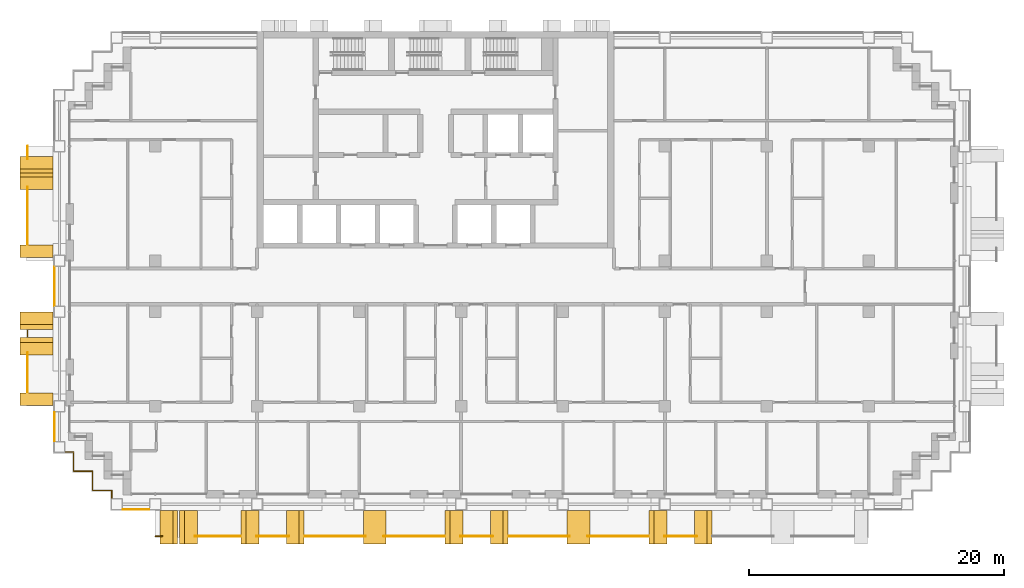
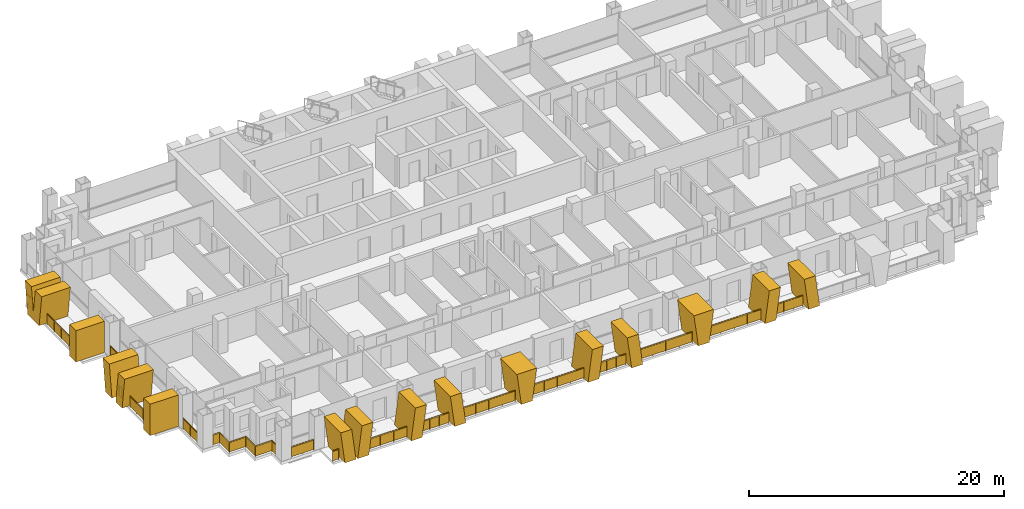
# One storey, part 15 of 18: 17 railings, 15 shading devices.
"""IFC4 building model written with IfcOpenShell, lengths in metres."""

from ifc_helpers import new_model, si_unit, direction, frame, origin, origin_2d, place, context, subcontext, project, spatial, polyline, rectangle, circle, outline, extrude, material, layer, layer_set, type_object, element, save


model = new_model("IFC4")

# Units and contexts
model_context = context("Model", 3, precision=1e-05, world=origin(), true_north=direction((0.0, 1.0)))
body_context = subcontext(model_context, "Body", "Model", "MODEL_VIEW")
ifc_project = project(units=[si_unit("LENGTHUNIT", "METRE"), si_unit("AREAUNIT", "SQUARE_METRE"), si_unit("VOLUMEUNIT", "CUBIC_METRE"), si_unit("PLANEANGLEUNIT", "RADIAN"), si_unit("MASSUNIT", "GRAM", prefix="KILO")], contexts=[model_context])

# Site, building, storey
site_placement = place(None, origin())
site = spatial("IfcSite", under=ifc_project, at=site_placement, CompositionType="ELEMENT")
building_placement = place(site_placement, origin())
building = spatial("IfcBuilding", under=site, at=building_placement, Name="Vidyagriha Tower", CompositionType="ELEMENT")
storey_placement = place(building_placement, frame((0.0, 0.0, 93.5)))
storey = spatial("IfcBuildingStorey", under=building, at=storey_placement, Name="L24", CompositionType="ELEMENT", Elevation=93.5)

# Railings
ifc_material_1 = material(Name="Steel ASTM A500 Grade C black painted", Category="steel")
railing_type_1 = type_object("IfcRailingType", Name="Balcony guard 1100", PredefinedType="BALUSTRADE", material=ifc_material_1)
railing_1_placement = place(storey_placement, frame((-32.0, 11.0, 0.0)))
element("IfcRailing", 1, at=railing_1_placement, inside=storey, type_object=railing_type_1, Name="Balcony guard L24 R16.1-1", PredefinedType="BALUSTRADE", context=body_context, shape_type="SweptSolid", body=[
    extrude(circle(Radius=0.02490234375, at=origin_2d()), frame((0.0, 0.0, 1.0751953125), z_axis=(0.0, -1.0, 0.0), x_axis=(1.0, 0.0, 0.0)), (0.0, 0.0, 1.0), 0.99658203125),
    extrude(circle(Radius=0.02001953125, at=origin_2d()), origin(), (0.0, 0.0, 1.0), 1.050048828125),
    extrude(circle(Radius=0.02001953125, at=origin_2d()), frame((0.0, -0.99658203125, 0.0)), (0.0, 0.0, 1.0), 1.050048828125),
    extrude(rectangle(XDim=0.010009765625, YDim=0.900146484375, at=origin_2d()), frame((0.0, 0.0, 0.550048828125), z_axis=(0.0, -1.0, 0.0), x_axis=(1.0, 0.0, 0.0)), (0.0, 0.0, 1.0), 0.99658203125),
])
railing_2_placement = place(storey_placement, frame((-32.0, 7.796630859375, 0.0)))
element("IfcRailing", 2, at=railing_2_placement, inside=storey, type_object=railing_type_1, Name="Balcony guard L24 R16.1-2", PredefinedType="BALUSTRADE", context=body_context, shape_type="SweptSolid", body=[
    extrude(circle(Radius=0.02490234375, at=origin_2d()), frame((0.0, 0.0, 1.0751953125), z_axis=(0.0, -1.0, 0.0), x_axis=(1.0, 0.0, 0.0)), (0.0, 0.0, 1.0), 4.49658203125),
    extrude(circle(Radius=0.02001953125, at=origin_2d()), origin(), (0.0, 0.0, 1.0), 1.050048828125),
    extrude(circle(Radius=0.02001953125, at=origin_2d()), frame((0.0, -1.1240234375, 0.0)), (0.0, 0.0, 1.0), 1.050048828125),
    extrude(circle(Radius=0.02001953125, at=origin_2d()), frame((0.0, -2.248291015625, 0.0)), (0.0, 0.0, 1.0), 1.050048828125),
    extrude(circle(Radius=0.02001953125, at=origin_2d()), frame((0.0, -3.37255859375, 0.0)), (0.0, 0.0, 1.0), 1.050048828125),
    extrude(circle(Radius=0.02001953125, at=origin_2d()), frame((0.0, -4.49658203125, 0.0)), (0.0, 0.0, 1.0), 1.050048828125),
    extrude(rectangle(XDim=0.010009765625, YDim=0.900146484375, at=origin_2d()), frame((0.0, 0.0, 0.550048828125), z_axis=(0.0, -1.0, 0.0), x_axis=(1.0, 0.0, 0.0)), (0.0, 0.0, 1.0), 4.49658203125),
])
railing_3_placement = place(storey_placement, frame((-32.0, -3.449951171875, 0.0)))
element("IfcRailing", 3, at=railing_3_placement, inside=storey, type_object=railing_type_1, Name="Balcony guard L24 R16.2-1", PredefinedType="BALUSTRADE", context=body_context, shape_type="SweptSolid", body=[
    extrude(circle(Radius=0.02490234375, at=origin_2d()), frame((0.0, 0.0, 1.0751953125), z_axis=(0.0, -1.0, 0.0), x_axis=(1.0, 0.0, 0.0)), (0.0, 0.0, 1.0), 0.5),
    extrude(circle(Radius=0.02001953125, at=origin_2d()), origin(), (0.0, 0.0, 1.0), 1.050048828125),
    extrude(circle(Radius=0.02001953125, at=origin_2d()), frame((0.0, -0.5, 0.0)), (0.0, 0.0, 1.0), 1.050048828125),
    extrude(rectangle(XDim=0.010009765625, YDim=0.900146484375, at=origin_2d()), frame((0.0, 0.0, 0.550048828125), z_axis=(0.0, -1.0, 0.0), x_axis=(1.0, 0.0, 0.0)), (0.0, 0.0, 1.0), 0.5),
])
railing_4_placement = place(storey_placement, frame((-32.0, -5.203369140625, 0.0)))
element("IfcRailing", 4, at=railing_4_placement, inside=storey, type_object=railing_type_1, Name="Balcony guard L24 R16.2-2", PredefinedType="BALUSTRADE", context=body_context, shape_type="SweptSolid", body=[
    extrude(circle(Radius=0.02490234375, at=origin_2d()), frame((0.0, 0.0, 1.0751953125), z_axis=(0.0, -1.0, 0.0), x_axis=(1.0, 0.0, 0.0)), (0.0, 0.0, 1.0), 3.0966796875),
    extrude(circle(Radius=0.02001953125, at=origin_2d()), origin(), (0.0, 0.0, 1.0), 1.050048828125),
    extrude(circle(Radius=0.02001953125, at=origin_2d()), frame((0.0, -1.0322265625, 0.0)), (0.0, 0.0, 1.0), 1.050048828125),
    extrude(circle(Radius=0.02001953125, at=origin_2d()), frame((0.0, -2.064453125, 0.0)), (0.0, 0.0, 1.0), 1.050048828125),
    extrude(circle(Radius=0.02001953125, at=origin_2d()), frame((0.0, -3.0966796875, 0.0)), (0.0, 0.0, 1.0), 1.050048828125),
    extrude(rectangle(XDim=0.010009765625, YDim=0.900146484375, at=origin_2d()), frame((0.0, 0.0, 0.550048828125), z_axis=(0.0, -1.0, 0.0), x_axis=(1.0, 0.0, 0.0)), (0.0, 0.0, 1.0), 3.0966796875),
])
railing_5_placement = place(storey_placement, frame((-22.0, -19.60009765625, 0.0)))
element("IfcRailing", 5, at=railing_5_placement, inside=storey, type_object=railing_type_1, Name="Balcony guard L24 R23.1-1", PredefinedType="BALUSTRADE", context=body_context, shape_type="SweptSolid", body=[
    extrude(circle(Radius=0.02490234375, at=origin_2d()), frame((0.0, 0.0, 1.0751953125), z_axis=(1.0, 0.0, 0.0), x_axis=(0.0, 1.0, 0.0)), (0.0, 0.0, 1.0), 0.573486328125),
    extrude(circle(Radius=0.02001953125, at=origin_2d()), origin(), (0.0, 0.0, 1.0), 1.050048828125),
    extrude(circle(Radius=0.02001953125, at=origin_2d()), frame((0.573486328125, 0.0, 0.0)), (0.0, 0.0, 1.0), 1.050048828125),
    extrude(rectangle(XDim=0.010009765625, YDim=0.900146484375, at=origin_2d()), frame((0.0, 0.0, 0.550048828125), z_axis=(1.0, 0.0, 0.0), x_axis=(0.0, 1.0, 0.0)), (0.0, 0.0, 1.0), 0.573486328125),
])
railing_6_placement = place(storey_placement, frame((-18.87353515625, -19.60009765625, 0.0)))
element("IfcRailing", 6, at=railing_6_placement, inside=storey, type_object=railing_type_1, Name="Balcony guard L24 R23.1-2", PredefinedType="BALUSTRADE", context=body_context, shape_type="SweptSolid", body=[
    extrude(circle(Radius=0.02490234375, at=origin_2d()), frame((0.0, 0.0, 1.0751953125), z_axis=(1.0, 0.0, 0.0), x_axis=(0.0, 1.0, 0.0)), (0.0, 0.0, 1.0), 3.573486328125),
    extrude(circle(Radius=0.02001953125, at=origin_2d()), origin(), (0.0, 0.0, 1.0), 1.050048828125),
    extrude(circle(Radius=0.02001953125, at=origin_2d()), frame((1.191162109375, 0.0, 0.0)), (0.0, 0.0, 1.0), 1.050048828125),
    extrude(circle(Radius=0.02001953125, at=origin_2d()), frame((2.38232421875, 0.0, 0.0)), (0.0, 0.0, 1.0), 1.050048828125),
    extrude(circle(Radius=0.02001953125, at=origin_2d()), frame((3.573486328125, 0.0, 0.0)), (0.0, 0.0, 1.0), 1.050048828125),
    extrude(rectangle(XDim=0.010009765625, YDim=0.900146484375, at=origin_2d()), frame((0.0, 0.0, 0.550048828125), z_axis=(1.0, 0.0, 0.0), x_axis=(0.0, 1.0, 0.0)), (0.0, 0.0, 1.0), 3.573486328125),
])
railing_7_placement = place(storey_placement, frame((-14.048583984375, -19.60009765625, 0.0)))
element("IfcRailing", 7, at=railing_7_placement, inside=storey, type_object=railing_type_1, Name="Balcony guard L24 R23.1-3", PredefinedType="BALUSTRADE", context=body_context, shape_type="SweptSolid", body=[
    extrude(circle(Radius=0.02490234375, at=origin_2d()), frame((0.0, 0.0, 1.0751953125), z_axis=(1.0, 0.0, 0.0), x_axis=(0.0, 1.0, 0.0)), (0.0, 0.0, 1.0), 2.547119140625),
    extrude(circle(Radius=0.02001953125, at=origin_2d()), origin(), (0.0, 0.0, 1.0), 1.050048828125),
    extrude(circle(Radius=0.02001953125, at=origin_2d()), frame((0.84912109375, 0.0, 0.0)), (0.0, 0.0, 1.0), 1.050048828125),
    extrude(circle(Radius=0.02001953125, at=origin_2d()), frame((1.697998046875, 0.0, 0.0)), (0.0, 0.0, 1.0), 1.050048828125),
    extrude(circle(Radius=0.02001953125, at=origin_2d()), frame((2.547119140625, 0.0, 0.0)), (0.0, 0.0, 1.0), 1.050048828125),
    extrude(rectangle(XDim=0.010009765625, YDim=0.900146484375, at=origin_2d()), frame((0.0, 0.0, 0.550048828125), z_axis=(1.0, 0.0, 0.0), x_axis=(0.0, 1.0, 0.0)), (0.0, 0.0, 1.0), 2.547119140625),
])
railing_8_placement = place(storey_placement, frame((-10.25, -19.60009765625, 0.0)))
element("IfcRailing", 8, at=railing_8_placement, inside=storey, type_object=railing_type_1, Name="Balcony guard L24 R23.1-4", PredefinedType="BALUSTRADE", context=body_context, shape_type="SweptSolid", body=[
    extrude(circle(Radius=0.02490234375, at=origin_2d()), frame((0.0, 0.0, 1.0751953125), z_axis=(1.0, 0.0, 0.0), x_axis=(0.0, 1.0, 0.0)), (0.0, 0.0, 1.0), 4.773681640625),
    extrude(circle(Radius=0.02001953125, at=origin_2d()), origin(), (0.0, 0.0, 1.0), 1.050048828125),
    extrude(circle(Radius=0.02001953125, at=origin_2d()), frame((1.193359375, 0.0, 0.0)), (0.0, 0.0, 1.0), 1.050048828125),
    extrude(circle(Radius=0.02001953125, at=origin_2d()), frame((2.38671875, 0.0, 0.0)), (0.0, 0.0, 1.0), 1.050048828125),
    extrude(circle(Radius=0.02001953125, at=origin_2d()), frame((3.580322265625, 0.0, 0.0)), (0.0, 0.0, 1.0), 1.050048828125),
    extrude(circle(Radius=0.02001953125, at=origin_2d()), frame((4.773681640625, 0.0, 0.0)), (0.0, 0.0, 1.0), 1.050048828125),
    extrude(rectangle(XDim=0.010009765625, YDim=0.900146484375, at=origin_2d()), frame((0.0, 0.0, 0.550048828125), z_axis=(1.0, 0.0, 0.0), x_axis=(0.0, 1.0, 0.0)), (0.0, 0.0, 1.0), 4.773681640625),
])
railing_9_placement = place(storey_placement, frame((-4.073486328125, -19.60009765625, 0.0)))
element("IfcRailing", 9, at=railing_9_placement, inside=storey, type_object=railing_type_1, Name="Balcony guard L24 R23.1-5", PredefinedType="BALUSTRADE", context=body_context, shape_type="SweptSolid", body=[
    extrude(circle(Radius=0.02490234375, at=origin_2d()), frame((0.0, 0.0, 1.0751953125), z_axis=(1.0, 0.0, 0.0), x_axis=(0.0, 1.0, 0.0)), (0.0, 0.0, 1.0), 4.7734375),
    extrude(circle(Radius=0.02001953125, at=origin_2d()), origin(), (0.0, 0.0, 1.0), 1.050048828125),
    extrude(circle(Radius=0.02001953125, at=origin_2d()), frame((1.193359375, 0.0, 0.0)), (0.0, 0.0, 1.0), 1.050048828125),
    extrude(circle(Radius=0.02001953125, at=origin_2d()), frame((2.38671875, 0.0, 0.0)), (0.0, 0.0, 1.0), 1.050048828125),
    extrude(circle(Radius=0.02001953125, at=origin_2d()), frame((3.580078125, 0.0, 0.0)), (0.0, 0.0, 1.0), 1.050048828125),
    extrude(circle(Radius=0.02001953125, at=origin_2d()), frame((4.7734375, 0.0, 0.0)), (0.0, 0.0, 1.0), 1.050048828125),
    extrude(rectangle(XDim=0.010009765625, YDim=0.900146484375, at=origin_2d()), frame((0.0, 0.0, 0.550048828125), z_axis=(1.0, 0.0, 0.0), x_axis=(0.0, 1.0, 0.0)), (0.0, 0.0, 1.0), 4.7734375),
])
railing_10_placement = place(storey_placement, frame((1.951416015625, -19.60009765625, 0.0)))
element("IfcRailing", 10, at=railing_10_placement, inside=storey, type_object=railing_type_1, Name="Balcony guard L24 R23.1-6", PredefinedType="BALUSTRADE", context=body_context, shape_type="SweptSolid", body=[
    extrude(circle(Radius=0.02490234375, at=origin_2d()), frame((0.0, 0.0, 1.0751953125), z_axis=(1.0, 0.0, 0.0), x_axis=(0.0, 1.0, 0.0)), (0.0, 0.0, 1.0), 2.547119140625),
    extrude(circle(Radius=0.02001953125, at=origin_2d()), origin(), (0.0, 0.0, 1.0), 1.050048828125),
    extrude(circle(Radius=0.02001953125, at=origin_2d()), frame((0.84912109375, 0.0, 0.0)), (0.0, 0.0, 1.0), 1.050048828125),
    extrude(circle(Radius=0.02001953125, at=origin_2d()), frame((1.697998046875, 0.0, 0.0)), (0.0, 0.0, 1.0), 1.050048828125),
    extrude(circle(Radius=0.02001953125, at=origin_2d()), frame((2.547119140625, 0.0, 0.0)), (0.0, 0.0, 1.0), 1.050048828125),
    extrude(rectangle(XDim=0.010009765625, YDim=0.900146484375, at=origin_2d()), frame((0.0, 0.0, 0.550048828125), z_axis=(1.0, 0.0, 0.0), x_axis=(0.0, 1.0, 0.0)), (0.0, 0.0, 1.0), 2.547119140625),
])
railing_11_placement = place(storey_placement, frame((5.75, -19.60009765625, 0.0)))
element("IfcRailing", 11, at=railing_11_placement, inside=storey, type_object=railing_type_1, Name="Balcony guard L24 R23.1-7", PredefinedType="BALUSTRADE", context=body_context, shape_type="SweptSolid", body=[
    extrude(circle(Radius=0.02490234375, at=origin_2d()), frame((0.0, 0.0, 1.0751953125), z_axis=(1.0, 0.0, 0.0), x_axis=(0.0, 1.0, 0.0)), (0.0, 0.0, 1.0), 4.773681640625),
    extrude(circle(Radius=0.02001953125, at=origin_2d()), origin(), (0.0, 0.0, 1.0), 1.050048828125),
    extrude(circle(Radius=0.02001953125, at=origin_2d()), frame((1.193359375, 0.0, 0.0)), (0.0, 0.0, 1.0), 1.050048828125),
    extrude(circle(Radius=0.02001953125, at=origin_2d()), frame((2.38671875, 0.0, 0.0)), (0.0, 0.0, 1.0), 1.050048828125),
    extrude(circle(Radius=0.02001953125, at=origin_2d()), frame((3.580322265625, 0.0, 0.0)), (0.0, 0.0, 1.0), 1.050048828125),
    extrude(circle(Radius=0.02001953125, at=origin_2d()), frame((4.773681640625, 0.0, 0.0)), (0.0, 0.0, 1.0), 1.050048828125),
    extrude(rectangle(XDim=0.010009765625, YDim=0.900146484375, at=origin_2d()), frame((0.0, 0.0, 0.550048828125), z_axis=(1.0, 0.0, 0.0), x_axis=(0.0, 1.0, 0.0)), (0.0, 0.0, 1.0), 4.773681640625),
])
railing_12_placement = place(storey_placement, frame((11.926513671875, -19.60009765625, 0.0)))
element("IfcRailing", 12, at=railing_12_placement, inside=storey, type_object=railing_type_1, Name="Balcony guard L24 R23.1-8", PredefinedType="BALUSTRADE", context=body_context, shape_type="SweptSolid", body=[
    extrude(circle(Radius=0.02490234375, at=origin_2d()), frame((0.0, 0.0, 1.0751953125), z_axis=(1.0, 0.0, 0.0), x_axis=(0.0, 1.0, 0.0)), (0.0, 0.0, 1.0), 4.7734375),
    extrude(circle(Radius=0.02001953125, at=origin_2d()), origin(), (0.0, 0.0, 1.0), 1.050048828125),
    extrude(circle(Radius=0.02001953125, at=origin_2d()), frame((1.193359375, 0.0, 0.0)), (0.0, 0.0, 1.0), 1.050048828125),
    extrude(circle(Radius=0.02001953125, at=origin_2d()), frame((2.38671875, 0.0, 0.0)), (0.0, 0.0, 1.0), 1.050048828125),
    extrude(circle(Radius=0.02001953125, at=origin_2d()), frame((3.580078125, 0.0, 0.0)), (0.0, 0.0, 1.0), 1.050048828125),
    extrude(circle(Radius=0.02001953125, at=origin_2d()), frame((4.7734375, 0.0, 0.0)), (0.0, 0.0, 1.0), 1.050048828125),
    extrude(rectangle(XDim=0.010009765625, YDim=0.900146484375, at=origin_2d()), frame((0.0, 0.0, 0.550048828125), z_axis=(1.0, 0.0, 0.0), x_axis=(0.0, 1.0, 0.0)), (0.0, 0.0, 1.0), 4.7734375),
])
railing_13_placement = place(storey_placement, frame((17.951416015625, -19.60009765625, 0.0)))
element("IfcRailing", 13, at=railing_13_placement, inside=storey, type_object=railing_type_1, Name="Balcony guard L24 R23.1-9", PredefinedType="BALUSTRADE", context=body_context, shape_type="SweptSolid", body=[
    extrude(circle(Radius=0.02490234375, at=origin_2d()), frame((0.0, 0.0, 1.0751953125), z_axis=(1.0, 0.0, 0.0), x_axis=(0.0, 1.0, 0.0)), (0.0, 0.0, 1.0), 2.547119140625),
    extrude(circle(Radius=0.02001953125, at=origin_2d()), origin(), (0.0, 0.0, 1.0), 1.050048828125),
    extrude(circle(Radius=0.02001953125, at=origin_2d()), frame((0.84912109375, 0.0, 0.0)), (0.0, 0.0, 1.0), 1.050048828125),
    extrude(circle(Radius=0.02001953125, at=origin_2d()), frame((1.697998046875, 0.0, 0.0)), (0.0, 0.0, 1.0), 1.050048828125),
    extrude(circle(Radius=0.02001953125, at=origin_2d()), frame((2.547119140625, 0.0, 0.0)), (0.0, 0.0, 1.0), 1.050048828125),
    extrude(rectangle(XDim=0.010009765625, YDim=0.900146484375, at=origin_2d()), frame((0.0, 0.0, 0.550048828125), z_axis=(1.0, 0.0, 0.0), x_axis=(0.0, 1.0, 0.0)), (0.0, 0.0, 1.0), 2.547119140625),
])

# Shading devices
ifc_material_2 = material(Name="Precast concrete C40/50 with buff brick facing", Category="concrete")
ifc_layer_1 = layer(ifc_material_2, 1.0)
ifc_layer_set_1 = layer_set([ifc_layer_1], Name="Precast concrete C40/50 with buff brick facing")
shading_device_type_1 = type_object("IfcShadingDeviceType", Name="Brick-faced blade fin arm leaning 8 degrees", PredefinedType="USERDEFINED", material=ifc_layer_set_1)
shading_device_1_placement = place(storey_placement, frame((-31.300048828125, -4.0, 0.0), z_axis=(0.0, 0.0, 1.0), x_axis=(0.0, -1.0, 0.0)))
element("IfcShadingDevice", 14, at=shading_device_1_placement, inside=storey, type_object=shading_device_type_1, Name="Leaning blade fin L24 R16.1590a", ObjectType="BLADE FIN", PredefinedType="USERDEFINED", context=body_context, shape_type="SweptSolid", body=[
    extrude(outline(polyline([(0.0, 0.0), (1.0, 0.0), (1.39990234375, 3.0), (0.39990234375, 3.0), (0.0, 0.0)])), frame((0.0, 1.300048828125, 0.0), z_axis=(0.0, -1.0, 0.0), x_axis=(1.0, 0.0, 0.0)), (0.0, 0.0, 1.0), 2.60009765625),
])
shading_device_2_placement = place(storey_placement, frame((-31.300048828125, -2.0, 0.0), z_axis=(0.0, 0.0, 1.0), x_axis=(0.0, -1.0, 0.0)))
element("IfcShadingDevice", 15, at=shading_device_2_placement, inside=storey, type_object=shading_device_type_1, Name="Leaning blade fin L24 R16.1590b", ObjectType="BLADE FIN", PredefinedType="USERDEFINED", context=body_context, shape_type="SweptSolid", body=[
    extrude(outline(polyline([(0.39990234375, 0.0), (1.39990234375, 0.0), (1.0, 3.0), (0.0, 3.0), (0.39990234375, 0.0)])), frame((0.0, 1.300048828125, 0.0), z_axis=(0.0, -1.0, 0.0), x_axis=(1.0, 0.0, 0.0)), (0.0, 0.0, 1.0), 2.60009765625),
])
shading_device_3_placement = place(storey_placement, frame((-20.0712890625, -18.89990234375, 0.0)))
element("IfcShadingDevice", 16, at=shading_device_3_placement, inside=storey, type_object=shading_device_type_1, Name="Leaning blade fin L24 R23.190a", ObjectType="BLADE FIN", PredefinedType="USERDEFINED", context=body_context, shape_type="SweptSolid", body=[
    extrude(outline(polyline([(0.0, 0.0), (1.0, 0.0), (1.3857421875, 3.0), (0.3857421875, 3.0), (0.0, 0.0)])), frame((0.0, 1.300048828125, 0.0), z_axis=(0.0, -1.0, 0.0), x_axis=(1.0, 0.0, 0.0)), (0.0, 0.0, 1.0), 2.60009765625),
])
shading_device_4_placement = place(storey_placement, frame((-21.6142578125, -18.89990234375, 0.0)))
element("IfcShadingDevice", 17, at=shading_device_4_placement, inside=storey, type_object=shading_device_type_1, Name="Leaning blade fin L24 R23.190b", ObjectType="BLADE FIN", PredefinedType="USERDEFINED", context=body_context, shape_type="SweptSolid", body=[
    extrude(outline(polyline([(0.3857421875, 0.0), (1.3857421875, 0.0), (1.0, 3.0), (0.0, 3.0), (0.3857421875, 0.0)])), frame((0.0, 1.300048828125, 0.0), z_axis=(0.0, -1.0, 0.0), x_axis=(1.0, 0.0, 0.0)), (0.0, 0.0, 1.0), 2.60009765625),
])
shading_device_5_placement = place(storey_placement, frame((-11.695068359375, -18.89990234375, 0.0)))
element("IfcShadingDevice", 18, at=shading_device_5_placement, inside=storey, type_object=shading_device_type_1, Name="Leaning blade fin L24 R23.990a", ObjectType="BLADE FIN", PredefinedType="USERDEFINED", context=body_context, shape_type="SweptSolid", body=[
    extrude(outline(polyline([(0.39501953125, 0.0), (1.39501953125, 0.0), (1.0, 3.0), (0.0, 3.0), (0.39501953125, 0.0)])), frame((0.0, 1.300048828125, 0.0), z_axis=(0.0, -1.0, 0.0), x_axis=(1.0, 0.0, 0.0)), (0.0, 0.0, 1.0), 2.60009765625),
])
shading_device_6_placement = place(storey_placement, frame((-15.25, -18.89990234375, 0.0)))
element("IfcShadingDevice", 19, at=shading_device_6_placement, inside=storey, type_object=shading_device_type_1, Name="Leaning blade fin L24 R23.990b", ObjectType="BLADE FIN", PredefinedType="USERDEFINED", context=body_context, shape_type="SweptSolid", body=[
    extrude(outline(polyline([(0.0, 0.0), (1.0, 0.0), (1.39501953125, 3.0), (0.39501953125, 3.0), (0.0, 0.0)])), frame((0.0, 1.300048828125, 0.0), z_axis=(0.0, -1.0, 0.0), x_axis=(1.0, 0.0, 0.0)), (0.0, 0.0, 1.0), 2.60009765625),
])
shading_device_7_placement = place(storey_placement, frame((4.304931640625, -18.89990234375, 0.0)))
element("IfcShadingDevice", 20, at=shading_device_7_placement, inside=storey, type_object=shading_device_type_1, Name="Leaning blade fin L24 R23.2590a", ObjectType="BLADE FIN", PredefinedType="USERDEFINED", context=body_context, shape_type="SweptSolid", body=[
    extrude(outline(polyline([(0.39501953125, 0.0), (1.39501953125, 0.0), (1.0, 3.0), (0.0, 3.0), (0.39501953125, 0.0)])), frame((0.0, 1.300048828125, 0.0), z_axis=(0.0, -1.0, 0.0), x_axis=(1.0, 0.0, 0.0)), (0.0, 0.0, 1.0), 2.60009765625),
])
shading_device_8_placement = place(storey_placement, frame((0.75, -18.89990234375, 0.0)))
element("IfcShadingDevice", 21, at=shading_device_8_placement, inside=storey, type_object=shading_device_type_1, Name="Leaning blade fin L24 R23.2590b", ObjectType="BLADE FIN", PredefinedType="USERDEFINED", context=body_context, shape_type="SweptSolid", body=[
    extrude(outline(polyline([(0.0, 0.0), (1.0, 0.0), (1.39501953125, 3.0), (0.39501953125, 3.0), (0.0, 0.0)])), frame((0.0, 1.300048828125, 0.0), z_axis=(0.0, -1.0, 0.0), x_axis=(1.0, 0.0, 0.0)), (0.0, 0.0, 1.0), 2.60009765625),
])
shading_device_9_placement = place(storey_placement, frame((20.304931640625, -18.89990234375, 0.0)))
element("IfcShadingDevice", 22, at=shading_device_9_placement, inside=storey, type_object=shading_device_type_1, Name="Leaning blade fin L24 R23.4190a", ObjectType="BLADE FIN", PredefinedType="USERDEFINED", context=body_context, shape_type="SweptSolid", body=[
    extrude(outline(polyline([(0.39501953125, 0.0), (1.39501953125, 0.0), (1.0, 3.0), (0.0, 3.0), (0.39501953125, 0.0)])), frame((0.0, 1.300048828125, 0.0), z_axis=(0.0, -1.0, 0.0), x_axis=(1.0, 0.0, 0.0)), (0.0, 0.0, 1.0), 2.60009765625),
])
shading_device_10_placement = place(storey_placement, frame((16.75, -18.89990234375, 0.0)))
element("IfcShadingDevice", 23, at=shading_device_10_placement, inside=storey, type_object=shading_device_type_1, Name="Leaning blade fin L24 R23.4190b", ObjectType="BLADE FIN", PredefinedType="USERDEFINED", context=body_context, shape_type="SweptSolid", body=[
    extrude(outline(polyline([(0.0, 0.0), (1.0, 0.0), (1.39501953125, 3.0), (0.39501953125, 3.0), (0.0, 0.0)])), frame((0.0, 1.300048828125, 0.0), z_axis=(0.0, -1.0, 0.0), x_axis=(1.0, 0.0, 0.0)), (0.0, 0.0, 1.0), 2.60009765625),
])
ifc_material_3 = material(Name="Precast concrete C40/50 with buff brick facing", Category="concrete")
ifc_layer_2 = layer(ifc_material_3, 1.0)
ifc_layer_set_2 = layer_set([ifc_layer_2], Name="Precast concrete C40/50 with buff brick facing")
shading_device_type_2 = type_object("IfcShadingDeviceType", Name="Brick-faced blade fin forking 8 degrees", PredefinedType="USERDEFINED", material=ifc_layer_set_2)
shading_device_11_placement = place(storey_placement, frame((-31.300048828125, 10.199951171875, 0.0), z_axis=(0.0, 0.0, 1.0), x_axis=(0.0, -1.0, 0.0)))
element("IfcShadingDevice", 24, at=shading_device_11_placement, inside=storey, type_object=shading_device_type_2, Name="Forked blade fin L24 R16.290a", ObjectType="BLADE FIN", PredefinedType="USERDEFINED", context=body_context, shape_type="SweptSolid", body=[
    extrude(outline(polyline([(0.39990234375, 0.0), (2.199951171875, 0.0), (2.60009765625, 3.0), (1.60009765625, 3.0), (1.300048828125, 0.75), (1.0, 3.0), (0.0, 3.0), (0.39990234375, 0.0)])), frame((0.0, 1.300048828125, 0.0), z_axis=(0.0, -1.0, 0.0), x_axis=(1.0, 0.0, 0.0)), (0.0, 0.0, 1.0), 2.60009765625),
])
for number, where, name in (
    (25, (-5.669921875, -18.89990234375, 0.0), "Forked blade fin L24 R23.1790a"),
    (26, (10.330078125, -18.89990234375, 0.0), "Forked blade fin L24 R23.3390a"),
):
    element("IfcShadingDevice", number, at=place(storey_placement, frame(where)), inside=storey, type_object=shading_device_type_2, Name=name, ObjectType="BLADE FIN", PredefinedType="USERDEFINED", context=body_context, shape_type="SweptSolid", body=[
        extrude(outline(polyline([(0.39501953125, 0.0), (1.39501953125, 0.0), (1.7900390625, 3.0), (0.0, 3.0), (0.39501953125, 0.0)])), frame((0.0, 1.300048828125, 0.0), z_axis=(0.0, -1.0, 0.0), x_axis=(1.0, 0.0, 0.0)), (0.0, 0.0, 1.0), 2.60009765625),
    ])
ifc_material_4 = material(Name="Precast concrete C40/50 with buff brick facing", Category="concrete")
ifc_layer_3 = layer(ifc_material_4, 1.0)
ifc_layer_set_3 = layer_set([ifc_layer_3], Name="Precast concrete C40/50 with buff brick facing")
shading_device_type_3 = type_object("IfcShadingDeviceType", Name="Brick-faced blade fin stem 1000", PredefinedType="USERDEFINED", material=ifc_layer_set_3)
for number, where, z_axis, x_axis, name in (
    (27, (-31.300048828125, 3.25, 0.0), (0.0, 0.0, 1.0), (0.0, -1.0, 0.0), "Stem blade fin L24 R16.1190a"),
    (28, (-31.300048828125, -8.35009765625, 0.0), (0.0, 0.0, 1.0), (0.0, -1.0, 0.0), "Stem blade fin L24 R16.2330a"),
):
    element("IfcShadingDevice", number, at=place(storey_placement, frame(where, z_axis=z_axis, x_axis=x_axis)), inside=storey, type_object=shading_device_type_3, Name=name, ObjectType="BLADE FIN", PredefinedType="USERDEFINED", context=body_context, shape_type="SweptSolid", body=[
        extrude(outline(polyline([(0.0, 0.0), (1.0, 0.0), (1.0, 3.0), (0.0, 3.0), (0.0, 0.0)])), frame((0.0, 1.300048828125, 0.0), z_axis=(0.0, -1.0, 0.0), x_axis=(1.0, 0.0, 0.0)), (0.0, 0.0, 1.0), 2.60009765625),
    ])

# Railings
ifc_material_5 = material(Name="Steel ASTM A500 Grade C black painted", Category="steel")
railing_type_2 = type_object("IfcRailingType", Name="Gallery guard 1100", PredefinedType="GUARDRAIL", material=ifc_material_5)
railing_14_placement = place(storey_placement, frame((-29.89990234375, -12.1201171875, 0.0)))
element("IfcRailing", 29, at=railing_14_placement, inside=storey, type_object=railing_type_2, Name="Gallery guard L24 1", PredefinedType="GUARDRAIL", context=body_context, shape_type="SweptSolid", body=[
    extrude(circle(Radius=0.02490234375, at=origin_2d()), frame((0.0, 0.0, 1.0751953125), z_axis=(0.0, 1.0, 0.0), x_axis=(-1.0, 0.0, 0.0)), (0.0, 0.0, 1.0), 2.240234375),
    extrude(circle(Radius=0.02001953125, at=origin_2d()), origin(), (0.0, 0.0, 1.0), 1.050048828125),
    extrude(circle(Radius=0.02001953125, at=origin_2d()), frame((0.0, 1.1201171875, 0.0)), (0.0, 0.0, 1.0), 1.050048828125),
    extrude(circle(Radius=0.02001953125, at=origin_2d()), frame((0.0, 2.240234375, 0.0)), (0.0, 0.0, 1.0), 1.050048828125),
    extrude(rectangle(XDim=0.010009765625, YDim=0.900146484375, at=origin_2d()), frame((0.0, 0.0, 0.550048828125), z_axis=(0.0, 1.0, 0.0), x_axis=(-1.0, 0.0, 0.0)), (0.0, 0.0, 1.0), 2.240234375),
])
railing_15_placement = place(storey_placement, frame((-29.89990234375, -1.52001953125, 0.0)))
element("IfcRailing", 30, at=railing_15_placement, inside=storey, type_object=railing_type_2, Name="Gallery guard L24 2", PredefinedType="GUARDRAIL", context=body_context, shape_type="SweptSolid", body=[
    extrude(circle(Radius=0.02490234375, at=origin_2d()), frame((0.0, 0.0, 1.0751953125), z_axis=(0.0, 1.0, 0.0), x_axis=(-1.0, 0.0, 0.0)), (0.0, 0.0, 1.0), 3.0400390625),
    extrude(circle(Radius=0.02001953125, at=origin_2d()), origin(), (0.0, 0.0, 1.0), 1.050048828125),
    extrude(circle(Radius=0.02001953125, at=origin_2d()), frame((0.0, 1.013427734375, 0.0)), (0.0, 0.0, 1.0), 1.050048828125),
    extrude(circle(Radius=0.02001953125, at=origin_2d()), frame((0.0, 2.026611328125, 0.0)), (0.0, 0.0, 1.0), 1.050048828125),
    extrude(circle(Radius=0.02001953125, at=origin_2d()), frame((0.0, 3.0400390625, 0.0)), (0.0, 0.0, 1.0), 1.050048828125),
    extrude(rectangle(XDim=0.010009765625, YDim=0.900146484375, at=origin_2d()), frame((0.0, 0.0, 0.550048828125), z_axis=(0.0, 1.0, 0.0), x_axis=(-1.0, 0.0, 0.0)), (0.0, 0.0, 1.0), 3.0400390625),
])
railing_16_placement = place(storey_placement, frame((-25.39990234375, -16.6201171875, 0.0)))
element("IfcRailing", 31, at=railing_16_placement, inside=storey, type_object=railing_type_2, Name="Gallery guard L24 4", PredefinedType="GUARDRAIL", context=body_context, shape_type="SweptSolid", body=[
    extrude(circle(Radius=0.02490234375, at=origin_2d()), frame((0.0, 0.0, 1.0751953125), z_axis=(0.0, 1.0, 0.0), x_axis=(-1.0, 0.0, 0.0)), (0.0, 0.0, 1.0), 0.6201171875),
    extrude(circle(Radius=0.02490234375, at=origin_2d()), frame((0.0, 0.6201171875, 1.0751953125), z_axis=(-1.0, 0.0, 0.0), x_axis=(0.0, -1.0, 0.0)), (0.0, 0.0, 1.0), 1.5),
    extrude(circle(Radius=0.02490234375, at=origin_2d()), frame((-1.5, 0.6201171875, 1.0751953125), z_axis=(0.0, 1.0, 0.0), x_axis=(-1.0, 0.0, 0.0)), (0.0, 0.0, 1.0), 1.5),
    extrude(circle(Radius=0.02490234375, at=origin_2d()), frame((-1.5, 2.1201171875, 1.0751953125), z_axis=(-1.0, 0.0, 0.0), x_axis=(0.0, -1.0, 0.0)), (0.0, 0.0, 1.0), 1.5),
    extrude(circle(Radius=0.02490234375, at=origin_2d()), frame((-3.0, 2.1201171875, 1.0751953125), z_axis=(0.0, 1.0, 0.0), x_axis=(-1.0, 0.0, 0.0)), (0.0, 0.0, 1.0), 1.5),
    extrude(circle(Radius=0.02490234375, at=origin_2d()), frame((-3.0, 3.6201171875, 1.0751953125), z_axis=(-1.0, 0.0, 0.0), x_axis=(0.0, -1.0, 0.0)), (0.0, 0.0, 1.0), 0.6201171875),
    extrude(circle(Radius=0.02001953125, at=origin_2d()), origin(), (0.0, 0.0, 1.0), 1.050048828125),
    extrude(circle(Radius=0.02001953125, at=origin_2d()), frame((0.0, 0.6201171875, 0.0)), (0.0, 0.0, 1.0), 1.050048828125),
    extrude(circle(Radius=0.02001953125, at=origin_2d()), frame((-1.5, 0.6201171875, 0.0)), (0.0, 0.0, 1.0), 1.050048828125),
    extrude(circle(Radius=0.02001953125, at=origin_2d()), frame((-1.5, 2.1201171875, 0.0)), (0.0, 0.0, 1.0), 1.050048828125),
    extrude(circle(Radius=0.02001953125, at=origin_2d()), frame((-3.0, 2.1201171875, 0.0)), (0.0, 0.0, 1.0), 1.050048828125),
    extrude(circle(Radius=0.02001953125, at=origin_2d()), frame((-3.0, 3.6201171875, 0.0)), (0.0, 0.0, 1.0), 1.050048828125),
    extrude(circle(Radius=0.02001953125, at=origin_2d()), frame((-3.6201171875, 3.6201171875, 0.0)), (0.0, 0.0, 1.0), 1.050048828125),
    extrude(rectangle(XDim=0.010009765625, YDim=0.900146484375, at=origin_2d()), frame((0.0, 0.0, 0.550048828125), z_axis=(0.0, 1.0, 0.0), x_axis=(-1.0, 0.0, 0.0)), (0.0, 0.0, 1.0), 0.6201171875),
    extrude(rectangle(XDim=0.010009765625, YDim=0.900146484375, at=origin_2d()), frame((0.0, 0.6201171875, 0.550048828125), z_axis=(-1.0, 0.0, 0.0), x_axis=(0.0, -1.0, 0.0)), (0.0, 0.0, 1.0), 1.5),
    extrude(rectangle(XDim=0.010009765625, YDim=0.900146484375, at=origin_2d()), frame((-1.5, 0.6201171875, 0.550048828125), z_axis=(0.0, 1.0, 0.0), x_axis=(-1.0, 0.0, 0.0)), (0.0, 0.0, 1.0), 1.5),
    extrude(rectangle(XDim=0.010009765625, YDim=0.900146484375, at=origin_2d()), frame((-1.5, 2.1201171875, 0.550048828125), z_axis=(-1.0, 0.0, 0.0), x_axis=(0.0, -1.0, 0.0)), (0.0, 0.0, 1.0), 1.5),
    extrude(rectangle(XDim=0.010009765625, YDim=0.900146484375, at=origin_2d()), frame((-3.0, 2.1201171875, 0.550048828125), z_axis=(0.0, 1.0, 0.0), x_axis=(-1.0, 0.0, 0.0)), (0.0, 0.0, 1.0), 1.5),
    extrude(rectangle(XDim=0.010009765625, YDim=0.900146484375, at=origin_2d()), frame((-3.0, 3.6201171875, 0.550048828125), z_axis=(-1.0, 0.0, 0.0), x_axis=(0.0, -1.0, 0.0)), (0.0, 0.0, 1.0), 0.6201171875),
])
railing_17_placement = place(storey_placement, frame((-22.47998046875, -17.5, 0.0)))
element("IfcRailing", 32, at=railing_17_placement, inside=storey, type_object=railing_type_2, Name="Gallery guard L24 6", PredefinedType="GUARDRAIL", context=body_context, shape_type="SweptSolid", body=[
    extrude(circle(Radius=0.02490234375, at=origin_2d()), frame((0.0, 0.0, 1.0751953125), z_axis=(-1.0, 0.0, 0.0), x_axis=(0.0, -1.0, 0.0)), (0.0, 0.0, 1.0), 2.0400390625),
    extrude(circle(Radius=0.02001953125, at=origin_2d()), origin(), (0.0, 0.0, 1.0), 1.050048828125),
    extrude(circle(Radius=0.02001953125, at=origin_2d()), frame((-1.02001953125, 0.0, 0.0)), (0.0, 0.0, 1.0), 1.050048828125),
    extrude(circle(Radius=0.02001953125, at=origin_2d()), frame((-2.0400390625, 0.0, 0.0)), (0.0, 0.0, 1.0), 1.050048828125),
    extrude(rectangle(XDim=0.010009765625, YDim=0.900146484375, at=origin_2d()), frame((0.0, 0.0, 0.550048828125), z_axis=(-1.0, 0.0, 0.0), x_axis=(0.0, -1.0, 0.0)), (0.0, 0.0, 1.0), 2.0400390625),
])

save(model, "model.ifc")
